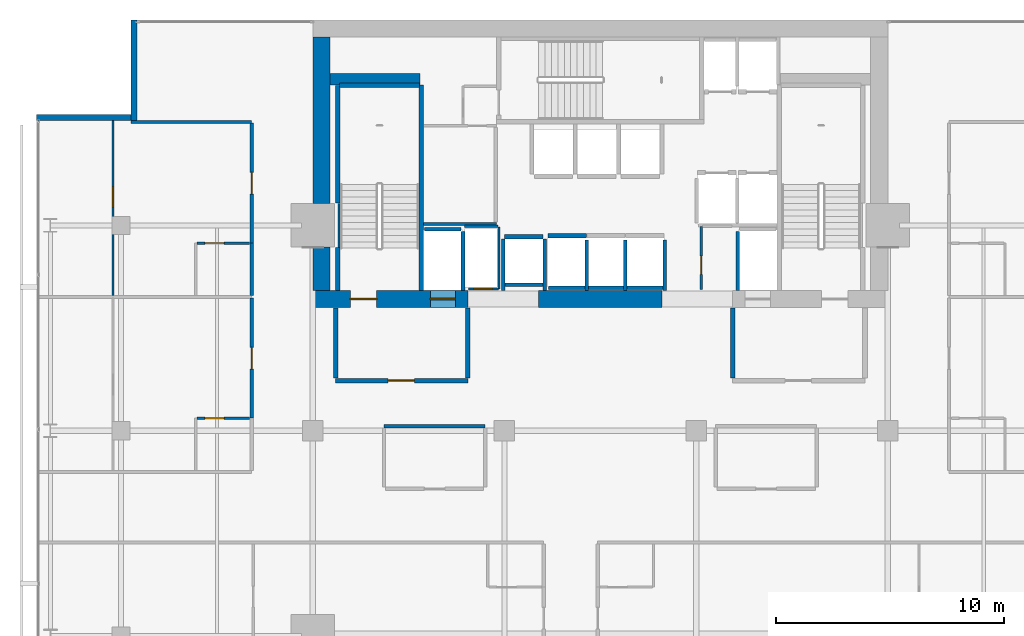
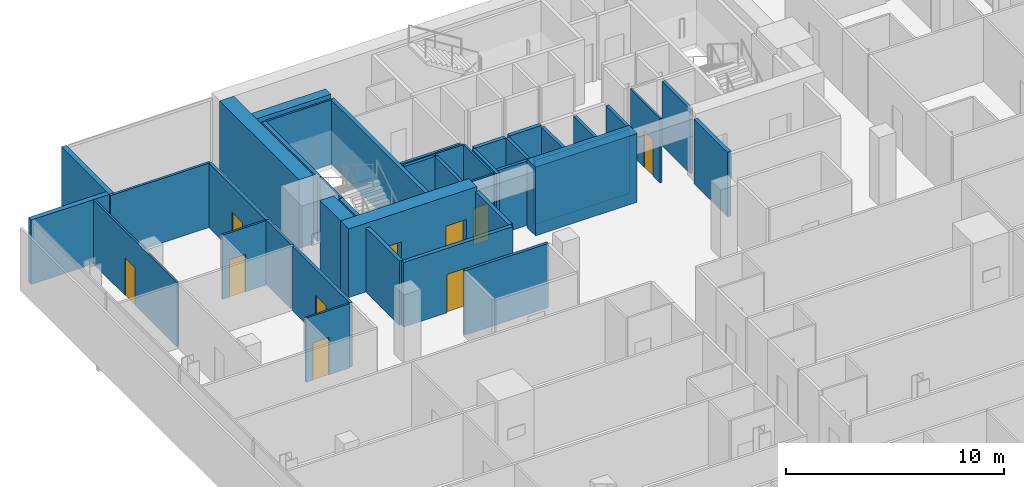
# One storey, part 29 of 33: 41 walls, 10 doors, 10 openings.
"""IFC4 building model written with IfcOpenShell, lengths in metres."""

from ifc_helpers import new_model, si_unit, direction, frame, frame_2d, origin, place, context, subcontext, project, spatial, rectangle, extrude, material, layer, layer_set, type_object, element, fill, save


model = new_model("IFC4")

# Units and contexts
model_context = context("Model", 3, precision=1e-05, world=origin(), true_north=direction((0.0, 1.0)))
body_context = subcontext(model_context, "Body", "Model", "MODEL_VIEW")
ifc_project = project(units=[si_unit("LENGTHUNIT", "METRE"), si_unit("AREAUNIT", "SQUARE_METRE"), si_unit("VOLUMEUNIT", "CUBIC_METRE"), si_unit("PLANEANGLEUNIT", "RADIAN"), si_unit("MASSUNIT", "GRAM", prefix="KILO")], contexts=[model_context])

# Site, building, storey
site_placement = place(None, origin())
site = spatial("IfcSite", under=ifc_project, at=site_placement, CompositionType="ELEMENT")
building_placement = place(site_placement, origin())
building = spatial("IfcBuilding", under=site, at=building_placement, Name="Maruvema Waterfront Hotel and Observation Tower", CompositionType="ELEMENT")
storey_placement = place(building_placement, frame((0.0, 0.0, 142.800048828125)))
storey = spatial("IfcBuildingStorey", under=building, at=storey_placement, Name="L34", CompositionType="ELEMENT", Elevation=142.800048828125)

# Walls
ifc_material_1 = material(Name="Twin-stud acoustic gypsum drywall", Category="gypsum")
ifc_layer_1 = layer(ifc_material_1, 0.14990234375, Name="Acoustic Corridor and Suite Demising Wall 150 mm")
ifc_layer_set_1 = layer_set([ifc_layer_1], Name="Twin-stud acoustic gypsum drywall")
wall_type_1 = type_object("IfcWallType", Name="Acoustic Corridor and Suite Demising Wall 150 mm", PredefinedType="PARTITIONING", material=ifc_layer_set_1)
wall_1_placement = place(storey_placement, frame((30.06005859375, 45.06005859375, 0.0), z_axis=(0.0, 0.0, 1.0), x_axis=(1.0, 0.0, 0.0)))
element("IfcWall", 1, at=wall_1_placement, inside=storey, type_object=wall_type_1, Name="L34 Freed B1 South Wall 012", PredefinedType="PARTITIONING", context=body_context, shape_type="SweptSolid", body=[
    extrude(rectangle(XDim=3.179931640625, YDim=0.14990234375, at=frame_2d((1.58984375, 0.0))), origin(), (0.0, 0.0, 1.0), 3.60986328125),
])
wall_2_placement = place(storey_placement, frame((28.320068359375, 36.199951171875, 0.0), z_axis=(0.0, 0.0, 1.0), x_axis=(1.0, 0.0, 0.0)))
element("IfcWall", 2, at=wall_2_placement, inside=storey, type_object=wall_type_1, Name="L34 L34-M1 Back Wall 017", PredefinedType="PARTITIONING", context=body_context, shape_type="SweptSolid", body=[
    extrude(rectangle(XDim=4.429931640625, YDim=0.14990234375, at=frame_2d((2.21484375, 0.0))), origin(), (0.0, 0.0, 1.0), 3.60986328125),
])

# Wall, opening, door
wall_3_placement = place(storey_placement, frame((22.52001953125, 36.550048828125, 0.0), z_axis=(0.0, 0.0, 1.0), x_axis=(0.0, 1.0, 0.0)))
wall_3 = element("IfcWall", 3, at=wall_3_placement, inside=storey, type_object=wall_type_1, Name="L34 Room L34-NW1 Corridor Wall 097", PredefinedType="PARTITIONING", context=body_context, shape_type="SweptSolid", body=[
    extrude(rectangle(XDim=5.2587890625, YDim=0.14990234375, at=frame_2d((2.62939453125, 0.0))), origin(), (0.0, 0.0, 1.0), 3.60986328125),
])
opening_1_placement = place(wall_3_placement, frame((2.154296875, 0.0, 0.0)))
opening_1 = element("IfcOpeningElement", 4, at=opening_1_placement, cuts=wall_3, Name="Opening DR-095", PredefinedType="OPENING", context=body_context, shape_type="SweptSolid", body=[
    extrude(rectangle(XDim=0.949951171875, YDim=2.14990234375, at=frame_2d((0.47509765625, 1.074951171875))), frame((0.0, 0.0849609375, 0.0), z_axis=(0.0, -1.0, 0.0), x_axis=(1.0, 0.0, 0.0)), (0.0, 0.0, 1.0), 0.169921875),
])
ifc_material_2 = material(Name="Acoustic solid-core hardwood timber leaf", Category="wood")
door_type_1 = type_object("IfcDoorType", Name="Guestroom Entrance Fire Door 950x2150 mm", OperationType="NOTDEFINED", PredefinedType="DOOR", material=ifc_material_2)
door_1_placement = place(opening_1_placement, origin())
door_1 = element("IfcDoor", 5, at=door_1_placement, inside=storey, type_object=door_type_1, Name="L34 Room L34-NW1 Entrance Door", OperationType="SINGLE_SWING_LEFT", OverallHeight=2.14990234375, OverallWidth=0.949951171875, PredefinedType="DOOR", context=body_context, shape_type="SweptSolid", body=[
    extrude(rectangle(XDim=0.949951171875, YDim=2.14990234375, at=frame_2d((0.47509765625, 1.074951171875))), frame((0.0, 0.02490234375, 0.0), z_axis=(0.0, -1.0, 0.0), x_axis=(1.0, 0.0, 0.0)), (0.0, 0.0, 1.0), 0.050048828125),
])
fill(opening_1, door_1)

# Wall
wall_4_placement = place(storey_placement, frame((22.52001953125, 41.9287109375, 0.0), z_axis=(0.0, 0.0, 1.0), x_axis=(0.0, 1.0, 0.0)))
element("IfcWall", 6, at=wall_4_placement, inside=storey, type_object=wall_type_1, Name="L34 Bath L34-NW2 Wall 108", PredefinedType="PARTITIONING", context=body_context, shape_type="SweptSolid", body=[
    extrude(rectangle(XDim=2.2900390625, YDim=0.14990234375, at=frame_2d((1.14501953125, 0.0))), origin(), (0.0, 0.0, 1.0), 3.60986328125),
])

# Wall, opening, door
wall_5_placement = place(storey_placement, frame((22.52001953125, 44.21875, 0.0), z_axis=(0.0, 0.0, 1.0), x_axis=(0.0, 1.0, 0.0)))
wall_5 = element("IfcWall", 7, at=wall_5_placement, inside=storey, type_object=wall_type_1, Name="L34 Room L34-NW2 Corridor Wall 109", PredefinedType="PARTITIONING", context=body_context, shape_type="SweptSolid", body=[
    extrude(rectangle(XDim=5.2587890625, YDim=0.14990234375, at=frame_2d((2.62939453125, 0.0))), origin(), (0.0, 0.0, 1.0), 3.60986328125),
])
opening_2_placement = place(wall_5_placement, frame((2.154296875, 0.0, 0.0)))
opening_2 = element("IfcOpeningElement", 8, at=opening_2_placement, cuts=wall_5, Name="Opening DR-095", PredefinedType="OPENING", context=body_context, shape_type="SweptSolid", body=[
    extrude(rectangle(XDim=0.949951171875, YDim=2.14990234375, at=frame_2d((0.47509765625, 1.074951171875))), frame((0.0, 0.0849609375, 0.0), z_axis=(0.0, -1.0, 0.0), x_axis=(1.0, 0.0, 0.0)), (0.0, 0.0, 1.0), 0.169921875),
])
door_2_placement = place(opening_2_placement, origin())
door_2 = element("IfcDoor", 9, at=door_2_placement, inside=storey, type_object=door_type_1, Name="L34 Room L34-NW2 Entrance Door", OperationType="SINGLE_SWING_LEFT", OverallHeight=2.14990234375, OverallWidth=0.949951171875, PredefinedType="DOOR", context=body_context, shape_type="SweptSolid", body=[
    extrude(rectangle(XDim=0.949951171875, YDim=2.14990234375, at=frame_2d((0.47509765625, 1.074951171875))), frame((0.0, 0.02490234375, 0.0), z_axis=(0.0, -1.0, 0.0), x_axis=(1.0, 0.0, 0.0)), (0.0, 0.0, 1.0), 0.050048828125),
])
fill(opening_2, door_2)

# Walls
ifc_material_3 = material(Name="Precast concrete C45/55", Category="concrete")
ifc_layer_2 = layer(ifc_material_3, 0.199951171875, Name="Core Shaft and Stairwell Enclosure Wall 200 mm")
ifc_layer_set_2 = layer_set([ifc_layer_2], Name="Precast concrete C45/55")
wall_type_2 = type_object("IfcWallType", Name="Core Shaft and Stairwell Enclosure Wall 200 mm", PredefinedType="SOLIDWALL", material=ifc_layer_set_2)
wall_6_placement = place(storey_placement, frame((29.949951171875, 42.14990234375, 0.0), z_axis=(0.0, 0.0, 1.0), x_axis=(0.0, 1.0, 0.0)))
element("IfcWall", 10, at=wall_6_placement, inside=storey, type_object=wall_type_2, Name="L34 Stairwell ST-01 East Shaft Wall", PredefinedType="SOLIDWALL", context=body_context, shape_type="SweptSolid", body=[
    extrude(rectangle(XDim=9.0, YDim=0.199951171875, at=frame_2d((4.5, 0.0))), origin(), (0.0, 0.0, 1.0), 3.60986328125),
])
wall_7_placement = place(storey_placement, frame((26.300048828125, 42.14990234375, 0.0), z_axis=(0.0, 0.0, 1.0), x_axis=(0.0, 1.0, 0.0)))
element("IfcWall", 11, at=wall_7_placement, inside=storey, type_object=wall_type_2, Name="L34 Stairwell ST-01 Shaft Lining Wall", PredefinedType="SOLIDWALL", context=body_context, shape_type="SweptSolid", body=[
    extrude(rectangle(XDim=1.8701171875, YDim=0.199951171875, at=frame_2d((0.93505859375, 0.0))), origin(), (0.0, 0.0, 1.0), 3.60986328125),
])
wall_8_placement = place(storey_placement, frame((26.300048828125, 45.97998046875, 0.0), z_axis=(0.0, 0.0, 1.0), x_axis=(0.0, 1.0, 0.0)))
element("IfcWall", 12, at=wall_8_placement, inside=storey, type_object=wall_type_2, Name="L34 Stairwell ST-01 Shaft Lining Wall", PredefinedType="SOLIDWALL", context=body_context, shape_type="SweptSolid", body=[
    extrude(rectangle(XDim=5.14013671875, YDim=0.199951171875, at=frame_2d((2.570068359375, 0.0))), origin(), (0.0, 0.0, 1.0), 3.60986328125),
])
wall_9_placement = place(storey_placement, frame((26.3798828125, 51.14990234375, 0.0), z_axis=(0.0, 0.0, 1.0), x_axis=(1.0, 0.0, 0.0)))
element("IfcWall", 13, at=wall_9_placement, inside=storey, type_object=wall_type_2, Name="L34 Stairwell ST-01 Shaft Lining Wall", PredefinedType="SOLIDWALL", context=body_context, shape_type="SweptSolid", body=[
    extrude(rectangle(XDim=3.5, YDim=0.199951171875, at=frame_2d((1.75, 0.0))), origin(), (0.0, 0.0, 1.0), 3.60986328125),
])
for number, where, z_axis, x_axis, name in (
    (14, (35.510009765625, 44.550048828125, 0.0), (0.0, 0.0, 1.0), (1.0, 0.0, 0.0), "L34 Lift LF-09 Hoistway Front Wall"),
    (15, (33.610107421875, 44.5, 0.0), (0.0, 0.0, 1.0), (1.0, 0.0, 0.0), "L34 Lift LF-15 Hoistway Front Wall"),
):
    element("IfcWall", number, at=place(storey_placement, frame(where, z_axis=z_axis, x_axis=x_axis)), inside=storey, type_object=wall_type_2, Name=name, PredefinedType="SOLIDWALL", context=body_context, shape_type="SweptSolid", body=[
        extrude(rectangle(XDim=1.679931640625, YDim=0.199951171875, at=frame_2d((0.83984375, 0.0))), origin(), (0.0, 0.0, 1.0), 3.60986328125),
    ])
ifc_material_4 = material(Name="Concrete C70/85", Category="concrete")
ifc_layer_3 = layer(ifc_material_4, 0.5, Name="Core Shear Wall 500 mm")
ifc_layer_set_3 = layer_set([ifc_layer_3], Name="Concrete C70/85")
wall_type_3 = type_object("IfcWallType", Name="Core Shear Wall 500 mm", PredefinedType="SHEAR", material=ifc_layer_set_3)
wall_10_placement = place(storey_placement, frame((25.949951171875, 51.39990234375, 0.0), z_axis=(0.0, 0.0, 1.0), x_axis=(1.0, 0.0, 0.0)))
element("IfcWall", 16, at=wall_10_placement, inside=storey, type_object=wall_type_3, Name="L34 Internal Core Shear Wall NW 500 mm", PredefinedType="SHEAR", context=body_context, shape_type="SweptSolid", body=[
    extrude(rectangle(XDim=3.949951171875, YDim=0.5, at=frame_2d((1.97509765625, 0.0))), origin(), (0.0, 0.0, 1.0), 3.849853515625),
])

# Wall, openings, doors
ifc_material_5 = material(Name="Concrete C70/85", Category="concrete")
ifc_layer_4 = layer(ifc_material_5, 0.75, Name="Core Shear Wall 750 mm")
ifc_layer_set_4 = layer_set([ifc_layer_4], Name="Concrete C70/85")
wall_type_4 = type_object("IfcWallType", Name="Core Shear Wall 750 mm", PredefinedType="SHEAR", material=ifc_layer_set_4)
wall_11_placement = place(storey_placement, frame((25.199951171875, 41.77490234375, 0.0), z_axis=(0.0, 0.0, 1.0), x_axis=(1.0, 0.0, 0.0)))
wall_11 = element("IfcWall", 17, at=wall_11_placement, inside=storey, type_object=wall_type_4, Name="L34 South-West Core Shear Wall", PredefinedType="SHEAR", context=body_context, shape_type="SweptSolid", body=[
    extrude(rectangle(XDim=6.800048828125, YDim=0.75, at=frame_2d((3.39990234375, 0.0))), origin(), (0.0, 0.0, 1.0), 3.849853515625),
])
opening_3_placement = place(wall_11_placement, frame((1.64990234375, 0.0, 0.0)))
opening_3 = element("IfcOpeningElement", 18, at=opening_3_placement, cuts=wall_11, Name="Opening SD-01", PredefinedType="OPENING", context=body_context, shape_type="SweptSolid", body=[
    extrude(rectangle(XDim=1.14990234375, YDim=2.14990234375, at=frame_2d((0.574951171875, 1.074951171875))), frame((0.0, 0.385009765625, 0.0), z_axis=(0.0, -1.0, 0.0), x_axis=(1.0, 0.0, 0.0)), (0.0, 0.0, 1.0), 0.77001953125),
])
opening_4_placement = place(wall_11_placement, frame((5.14990234375, 0.0, 0.0)))
opening_4 = element("IfcOpeningElement", 19, at=opening_4_placement, cuts=wall_11, Name="Opening LD-03", PredefinedType="OPENING", context=body_context, shape_type="SweptSolid", body=[
    extrude(rectangle(XDim=1.10009765625, YDim=2.199951171875, at=frame_2d((0.550048828125, 1.10009765625))), frame((0.0, 0.385009765625, 0.0), z_axis=(0.0, -1.0, 0.0), x_axis=(1.0, 0.0, 0.0)), (0.0, 0.0, 1.0), 0.77001953125),
])
ifc_material_6 = material(Name="Fire-rated galvanised steel leaf", Category="steel")
door_type_2 = type_object("IfcDoorType", Name="Exit Stair Fire Door 1150x2150 mm", OperationType="NOTDEFINED", PredefinedType="DOOR", material=ifc_material_6)
door_3_placement = place(opening_3_placement, origin())
door_3 = element("IfcDoor", 20, at=door_3_placement, inside=storey, type_object=door_type_2, Name="L34 Exit Stair ST-01 Fire Door", OperationType="SINGLE_SWING_LEFT", OverallHeight=2.14990234375, OverallWidth=1.14990234375, PredefinedType="DOOR", context=body_context, shape_type="SweptSolid", body=[
    extrude(rectangle(XDim=1.14990234375, YDim=2.14990234375, at=frame_2d((0.574951171875, 1.074951171875))), frame((0.0, 0.02490234375, 0.0), z_axis=(0.0, -1.0, 0.0), x_axis=(1.0, 0.0, 0.0)), (0.0, 0.0, 1.0), 0.050048828125),
])
fill(opening_3, door_3)
ifc_material_7 = material(Name="Brushed stainless steel Grade 316", Category="steel")
door_type_3 = type_object("IfcDoorType", Name="Firefighting Lift Sliding Landing Door 1100x2200 mm", OperationType="SLIDING_TO_LEFT", PredefinedType="DOOR", material=ifc_material_7)
door_4_placement = place(opening_4_placement, frame((1.10009765625, 0.0, 0.0), z_axis=(0.0, 0.0, 1.0), x_axis=(-1.0, 0.0, 0.0)))
door_4 = element("IfcDoor", 21, at=door_4_placement, inside=storey, type_object=door_type_3, Name="L34 Firefighting Lift FL-01 Landing Door", OperationType="SLIDING_TO_LEFT", OverallHeight=2.199951171875, OverallWidth=1.10009765625, PredefinedType="DOOR", context=body_context, shape_type="SweptSolid", body=[
    extrude(rectangle(XDim=1.10009765625, YDim=2.199951171875, at=frame_2d((0.550048828125, 1.10009765625))), frame((0.0, 0.02490234375, 0.0), z_axis=(0.0, -1.0, 0.0), x_axis=(1.0, 0.0, 0.0)), (0.0, 0.0, 1.0), 0.050048828125),
])
fill(opening_4, door_4)

# Walls
wall_12_placement = place(storey_placement, frame((35.10009765625, 41.77490234375, 0.0), z_axis=(0.0, 0.0, 1.0), x_axis=(1.0, 0.0, 0.0)))
element("IfcWall", 22, at=wall_12_placement, inside=storey, type_object=wall_type_4, Name="L34 South-Central Core Shear Wall", PredefinedType="SHEAR", context=body_context, shape_type="SweptSolid", body=[
    extrude(rectangle(XDim=5.39990234375, YDim=0.75, at=frame_2d((2.699951171875, 0.0))), origin(), (0.0, 0.0, 1.0), 3.849853515625),
])
wall_13_placement = place(storey_placement, frame((25.574951171875, 42.14990234375, 0.0), z_axis=(0.0, 0.0, 1.0), x_axis=(0.0, 1.0, 0.0)))
element("IfcWall", 23, at=wall_13_placement, inside=storey, type_object=wall_type_4, Name="L34 West-South Core Shear Wall", PredefinedType="SHEAR", context=body_context, shape_type="SweptSolid", body=[
    extrude(rectangle(XDim=1.900146484375, YDim=0.75, at=frame_2d((0.9501953125, 0.0))), origin(), (0.0, 0.0, 1.0), 3.849853515625),
])
wall_14_placement = place(storey_placement, frame((25.574951171875, 45.949951171875, 0.0), z_axis=(0.0, 0.0, 1.0), x_axis=(0.0, 1.0, 0.0)))
element("IfcWall", 24, at=wall_14_placement, inside=storey, type_object=wall_type_4, Name="L34 West-North Core Shear Wall", PredefinedType="SHEAR", context=body_context, shape_type="SweptSolid", body=[
    extrude(rectangle(XDim=7.300048828125, YDim=0.75, at=frame_2d((3.64990234375, 0.0))), origin(), (0.0, 0.0, 1.0), 3.849853515625),
])

# Wall, opening, door
ifc_material_8 = material(Name="Moisture-resistant cement-board drywall", Category="gypsum")
ifc_layer_5 = layer(ifc_material_8, 0.10009765625, Name="En-Suite Moisture-Resistant Partition 100 mm")
ifc_layer_set_5 = layer_set([ifc_layer_5], Name="Moisture-resistant cement-board drywall")
wall_type_5 = type_object("IfcWallType", Name="En-Suite Moisture-Resistant Partition 100 mm", PredefinedType="PARTITIONING", material=ifc_layer_set_5)
wall_15_placement = place(storey_placement, frame((32.02001953125, 42.2099609375, 0.0), z_axis=(0.0, 0.0, 1.0), x_axis=(1.0, 0.0, 0.0)))
wall_15 = element("IfcWall", 25, at=wall_15_placement, inside=storey, type_object=wall_type_5, Name="L34 Telecom Riser South Wall 007", PredefinedType="PARTITIONING", context=body_context, shape_type="SweptSolid", body=[
    extrude(rectangle(XDim=1.320068359375, YDim=0.10009765625, at=frame_2d((0.66015625, 0.0))), origin(), (0.0, 0.0, 1.0), 3.60986328125),
])
opening_5_placement = place(wall_15_placement, frame((0.239990234375, 0.0, 0.0)))
opening_5 = element("IfcOpeningElement", 26, at=opening_5_placement, cuts=wall_15, Name="Opening DR-080", PredefinedType="OPENING", context=body_context, shape_type="SweptSolid", body=[
    extrude(rectangle(XDim=0.800048828125, YDim=2.050048828125, at=frame_2d((0.39990234375, 1.02490234375))), frame((0.0, 0.06005859375, 0.0), z_axis=(0.0, -1.0, 0.0), x_axis=(1.0, 0.0, 0.0)), (0.0, 0.0, 1.0), 0.1201171875),
])
ifc_material_9 = material(Name="Powder-coated steel access leaf", Category="steel")
door_type_4 = type_object("IfcDoorType", Name="Riser and Service Cupboard Door 800x2050 mm", OperationType="NOTDEFINED", PredefinedType="DOOR", material=ifc_material_9)
door_5_placement = place(opening_5_placement, frame((0.800048828125, 0.0, 0.0), z_axis=(0.0, 0.0, 1.0), x_axis=(-1.0, 0.0, 0.0)))
door_5 = element("IfcDoor", 27, at=door_5_placement, inside=storey, type_object=door_type_4, Name="L34 Telecom Riser Door", OperationType="SINGLE_SWING_RIGHT", OverallHeight=2.050048828125, OverallWidth=0.800048828125, PredefinedType="DOOR", context=body_context, shape_type="SweptSolid", body=[
    extrude(rectangle(XDim=0.800048828125, YDim=2.050048828125, at=frame_2d((0.39990234375, 1.02490234375))), frame((0.0, 0.02490234375, 0.0), z_axis=(0.0, -1.0, 0.0), x_axis=(1.0, 0.0, 0.0)), (0.0, 0.0, 1.0), 0.050048828125),
])
fill(opening_5, door_5)

# Walls
wall_16_placement = place(storey_placement, frame((31.840087890625, 44.9599609375, 0.0), z_axis=(0.0, 0.0, 1.0), x_axis=(1.0, 0.0, 0.0)))
element("IfcWall", 28, at=wall_16_placement, inside=storey, type_object=wall_type_5, Name="L34 Telecom Riser North Wall 008", PredefinedType="PARTITIONING", context=body_context, shape_type="SweptSolid", body=[
    extrude(rectangle(XDim=1.47998046875, YDim=0.10009765625, at=frame_2d((0.739990234375, 0.0))), origin(), (0.0, 0.0, 1.0), 3.60986328125),
])
wall_17_placement = place(storey_placement, frame((33.360107421875, 42.2099609375, 0.0), z_axis=(0.0, 0.0, 1.0), x_axis=(0.0, 1.0, 0.0)))
element("IfcWall", 29, at=wall_17_placement, inside=storey, type_object=wall_type_5, Name="L34 Telecom Riser East Wall 009", PredefinedType="PARTITIONING", context=body_context, shape_type="SweptSolid", body=[
    extrude(rectangle(XDim=2.72998046875, YDim=0.10009765625, at=frame_2d((1.364990234375, 0.0))), origin(), (0.0, 0.0, 1.0), 3.60986328125),
])

# Wall, opening, door
wall_18_placement = place(storey_placement, frame((42.219970703125, 42.199951171875, 0.0), z_axis=(0.0, 0.0, 1.0), x_axis=(0.0, 1.0, 0.0)))
wall_18 = element("IfcWall", 30, at=wall_18_placement, inside=storey, type_object=wall_type_5, Name="L34 Core Closet K1 West 010", PredefinedType="PARTITIONING", context=body_context, shape_type="SweptSolid", body=[
    extrude(rectangle(XDim=2.760009765625, YDim=0.10009765625, at=frame_2d((1.3798828125, 0.0))), origin(), (0.0, 0.0, 1.0), 3.60986328125),
])
opening_6_placement = place(wall_18_placement, frame((0.64990234375, 0.0, 0.0)))
opening_6 = element("IfcOpeningElement", 31, at=opening_6_placement, cuts=wall_18, Name="Opening DR-080", PredefinedType="OPENING", context=body_context, shape_type="SweptSolid", body=[
    extrude(rectangle(XDim=0.800048828125, YDim=2.050048828125, at=frame_2d((0.39990234375, 1.02490234375))), frame((0.0, 0.06005859375, 0.0), z_axis=(0.0, -1.0, 0.0), x_axis=(1.0, 0.0, 0.0)), (0.0, 0.0, 1.0), 0.1201171875),
])
door_6_placement = place(opening_6_placement, frame((0.800048828125, 0.0, 0.0), z_axis=(0.0, 0.0, 1.0), x_axis=(-1.0, 0.0, 0.0)))
door_6 = element("IfcDoor", 32, at=door_6_placement, inside=storey, type_object=door_type_4, Name="L34 Core Cleaning Store Door", OperationType="SINGLE_SWING_LEFT", OverallHeight=2.050048828125, OverallWidth=0.800048828125, PredefinedType="DOOR", context=body_context, shape_type="SweptSolid", body=[
    extrude(rectangle(XDim=0.800048828125, YDim=2.050048828125, at=frame_2d((0.39990234375, 1.02490234375))), frame((0.0, 0.02490234375, 0.0), z_axis=(0.0, -1.0, 0.0), x_axis=(1.0, 0.0, 0.0)), (0.0, 0.0, 1.0), 0.050048828125),
])
fill(opening_6, door_6)

wall_19_placement = place(storey_placement, frame((20.1201171875, 36.550048828125, 0.0), z_axis=(0.0, 0.0, 1.0), x_axis=(1.0, 0.0, 0.0)))
wall_19 = element("IfcWall", 33, at=wall_19_placement, inside=storey, type_object=wall_type_5, Name="L34 En-Suite L34-NW1 N 099", PredefinedType="PARTITIONING", context=body_context, shape_type="SweptSolid", body=[
    extrude(rectangle(XDim=2.2998046875, YDim=0.10009765625, at=frame_2d((1.14990234375, 0.0))), origin(), (0.0, 0.0, 1.0), 3.60986328125),
])
opening_7_placement = place(wall_19_placement, frame((0.35009765625, 0.0, 0.0)))
opening_7 = element("IfcOpeningElement", 34, at=opening_7_placement, cuts=wall_19, Name="Opening DR-085", PredefinedType="OPENING", context=body_context, shape_type="SweptSolid", body=[
    extrude(rectangle(XDim=0.85009765625, YDim=2.10009765625, at=frame_2d((0.425048828125, 1.050048828125))), frame((0.0, 0.06005859375, 0.0), z_axis=(0.0, -1.0, 0.0), x_axis=(1.0, 0.0, 0.0)), (0.0, 0.0, 1.0), 0.1201171875),
])
ifc_material_10 = material(Name="Moisture-resistant solid timber leaf", Category="wood")
door_type_5 = type_object("IfcDoorType", Name="En-Suite Bathroom Door 850x2100 mm", OperationType="NOTDEFINED", PredefinedType="DOOR", material=ifc_material_10)
door_7_placement = place(opening_7_placement, origin())
door_7 = element("IfcDoor", 35, at=door_7_placement, inside=storey, type_object=door_type_5, Name="L34 En-Suite L34-NW1 Door", OperationType="SINGLE_SWING_RIGHT", OverallHeight=2.10009765625, OverallWidth=0.85009765625, PredefinedType="DOOR", context=body_context, shape_type="SweptSolid", body=[
    extrude(rectangle(XDim=0.85009765625, YDim=2.10009765625, at=frame_2d((0.425048828125, 1.050048828125))), frame((0.0, 0.02490234375, 0.0), z_axis=(0.0, -1.0, 0.0), x_axis=(1.0, 0.0, 0.0)), (0.0, 0.0, 1.0), 0.050048828125),
])
fill(opening_7, door_7)

wall_20_placement = place(storey_placement, frame((20.1201171875, 44.21875, 0.0), z_axis=(0.0, 0.0, 1.0), x_axis=(1.0, 0.0, 0.0)))
wall_20 = element("IfcWall", 36, at=wall_20_placement, inside=storey, type_object=wall_type_5, Name="L34 En-Suite L34-NW2 N 111", PredefinedType="PARTITIONING", context=body_context, shape_type="SweptSolid", body=[
    extrude(rectangle(XDim=2.2998046875, YDim=0.10009765625, at=frame_2d((1.14990234375, 0.0))), origin(), (0.0, 0.0, 1.0), 3.60986328125),
])
opening_8_placement = place(wall_20_placement, frame((0.35009765625, 0.0, 0.0)))
opening_8 = element("IfcOpeningElement", 37, at=opening_8_placement, cuts=wall_20, Name="Opening DR-085", PredefinedType="OPENING", context=body_context, shape_type="SweptSolid", body=[
    extrude(rectangle(XDim=0.85009765625, YDim=2.10009765625, at=frame_2d((0.425048828125, 1.050048828125))), frame((0.0, 0.06005859375, 0.0), z_axis=(0.0, -1.0, 0.0), x_axis=(1.0, 0.0, 0.0)), (0.0, 0.0, 1.0), 0.1201171875),
])
door_8_placement = place(opening_8_placement, origin())
door_8 = element("IfcDoor", 38, at=door_8_placement, inside=storey, type_object=door_type_5, Name="L34 En-Suite L34-NW2 Door", OperationType="SINGLE_SWING_RIGHT", OverallHeight=2.10009765625, OverallWidth=0.85009765625, PredefinedType="DOOR", context=body_context, shape_type="SweptSolid", body=[
    extrude(rectangle(XDim=0.85009765625, YDim=2.10009765625, at=frame_2d((0.425048828125, 1.050048828125))), frame((0.0, 0.02490234375, 0.0), z_axis=(0.0, -1.0, 0.0), x_axis=(1.0, 0.0, 0.0)), (0.0, 0.0, 1.0), 0.050048828125),
])
fill(opening_8, door_8)

wall_21_placement = place(storey_placement, frame((16.445556640625, 41.9287109375, 0.0), z_axis=(0.0, 0.0, 1.0), x_axis=(0.0, 1.0, 0.0)))
wall_21 = element("IfcWall", 39, at=wall_21_placement, inside=storey, type_object=wall_type_5, Name="L34 Suite L34-NW2 Split 112", PredefinedType="PARTITIONING", context=body_context, shape_type="SweptSolid", body=[
    extrude(rectangle(XDim=7.668701171875, YDim=0.10009765625, at=frame_2d((3.83447265625, 0.0))), origin(), (0.0, 0.0, 1.0), 3.60986328125),
])
opening_9_placement = place(wall_21_placement, frame((3.8642578125, 0.0, 0.0)))
opening_9 = element("IfcOpeningElement", 40, at=opening_9_placement, cuts=wall_21, Name="Opening DR-090", PredefinedType="OPENING", context=body_context, shape_type="SweptSolid", body=[
    extrude(rectangle(XDim=0.89990234375, YDim=2.10009765625, at=frame_2d((0.449951171875, 1.050048828125))), frame((0.0, 0.06005859375, 0.0), z_axis=(0.0, -1.0, 0.0), x_axis=(1.0, 0.0, 0.0)), (0.0, 0.0, 1.0), 0.1201171875),
])
ifc_material_11 = material(Name="Solid-core lacquered timber leaf", Category="wood")
door_type_6 = type_object("IfcDoorType", Name="Accessible Toilet and Room Door 900x2100 mm", OperationType="NOTDEFINED", PredefinedType="DOOR", material=ifc_material_11)
door_9_placement = place(opening_9_placement, origin())
door_9 = element("IfcDoor", 41, at=door_9_placement, inside=storey, type_object=door_type_6, Name="L34 Suite L34-NW2 Bedroom Door", OperationType="SINGLE_SWING_RIGHT", OverallHeight=2.10009765625, OverallWidth=0.89990234375, PredefinedType="DOOR", context=body_context, shape_type="SweptSolid", body=[
    extrude(rectangle(XDim=0.89990234375, YDim=2.10009765625, at=frame_2d((0.449951171875, 1.050048828125))), frame((0.0, 0.02490234375, 0.0), z_axis=(0.0, -1.0, 0.0), x_axis=(1.0, 0.0, 0.0)), (0.0, 0.0, 1.0), 0.050048828125),
])
fill(opening_9, door_9)

# Walls
ifc_material_12 = material(Name="Precast concrete C45/55 with honed Pernambuco granite facing", Category="masonry")
ifc_layer_6 = layer(ifc_material_12, 0.260009765625, Name="Exterior Granite Clad Spandrel and Pier Wall 260 mm")
ifc_layer_set_6 = layer_set([ifc_layer_6], Name="Precast concrete C45/55 with honed Pernambuco granite facing")
wall_type_6 = type_object("IfcWallType", Name="Exterior Granite Clad Spandrel and Pier Wall 260 mm", PredefinedType="SOLIDWALL", material=ifc_layer_set_6)
for number, where, z_axis, x_axis, name in (
    (42, (17.3701171875, 49.60009765625, 0.0), (0.0, 0.0, 1.0), (0.0, 1.0, 0.0), "L34 Corner Notch Granite Pier Wall NW1"),
    (43, (13.10009765625, 49.72998046875, 0.0), (0.0, 0.0, 1.0), (1.0, 0.0, 0.0), "L34 Corner Notch Granite Pier Wall NW2"),
):
    element("IfcWall", number, at=place(storey_placement, frame(where, z_axis=z_axis, x_axis=x_axis)), inside=storey, type_object=wall_type_6, Name=name, PredefinedType="SOLIDWALL", context=body_context, shape_type="SweptSolid", body=[
        extrude(rectangle(XDim=4.39990234375, YDim=0.260009765625, at=frame_2d((2.199951171875, 0.0))), origin(), (0.0, 0.0, 1.0), 3.60986328125),
    ])

# Wall, opening, door
ifc_material_13 = material(Name="Autoclaved cellular concrete blockwork", Category="masonry")
ifc_layer_7 = layer(ifc_material_13, 0.199951171875, Name="Fire Compartment Masonry Wall 200 mm")
ifc_layer_set_7 = layer_set([ifc_layer_7], Name="Autoclaved cellular concrete blockwork")
wall_type_7 = type_object("IfcWallType", Name="Fire Compartment Masonry Wall 200 mm", PredefinedType="PARTITIONING", material=ifc_layer_set_7)
wall_22_placement = place(storey_placement, frame((26.199951171875, 38.199951171875, 0.0), z_axis=(0.0, 0.0, 1.0), x_axis=(1.0, 0.0, 0.0)))
wall_22 = element("IfcWall", 44, at=wall_22_placement, inside=storey, type_object=wall_type_7, Name="L34 FFL West South Wall 001", PredefinedType="PARTITIONING", context=body_context, shape_type="SweptSolid", body=[
    extrude(rectangle(XDim=5.800048828125, YDim=0.199951171875, at=frame_2d((2.89990234375, 0.0))), origin(), (0.0, 0.0, 1.0), 3.60986328125),
])
opening_10_placement = place(wall_22_placement, frame((2.300048828125, 0.0, 0.0)))
opening_10 = element("IfcOpeningElement", 45, at=opening_10_placement, cuts=wall_22, Name="Opening FD-115", PredefinedType="OPENING", context=body_context, shape_type="SweptSolid", body=[
    extrude(rectangle(XDim=1.14990234375, YDim=2.14990234375, at=frame_2d((0.574951171875, 1.074951171875))), frame((0.0, 0.10986328125, 0.0), z_axis=(0.0, -1.0, 0.0), x_axis=(1.0, 0.0, 0.0)), (0.0, 0.0, 1.0), 0.219970703125),
])
ifc_material_14 = material(Name="Fire-rated galvanised steel and vision glass", Category="steel")
door_type_7 = type_object("IfcDoorType", Name="Firefighting Lobby Fire Door 1150x2150 mm", OperationType="NOTDEFINED", PredefinedType="DOOR", material=ifc_material_14)
door_10_placement = place(opening_10_placement, frame((1.14990234375, 0.0, 0.0), z_axis=(0.0, 0.0, 1.0), x_axis=(-1.0, 0.0, 0.0)))
door_10 = element("IfcDoor", 46, at=door_10_placement, inside=storey, type_object=door_type_7, Name="L34 Firefighting Lobby West Door", OperationType="SINGLE_SWING_RIGHT", OverallHeight=2.14990234375, OverallWidth=1.14990234375, PredefinedType="DOOR", context=body_context, shape_type="SweptSolid", body=[
    extrude(rectangle(XDim=1.14990234375, YDim=2.14990234375, at=frame_2d((0.574951171875, 1.074951171875))), frame((0.0, 0.02490234375, 0.0), z_axis=(0.0, -1.0, 0.0), x_axis=(1.0, 0.0, 0.0)), (0.0, 0.0, 1.0), 0.050048828125),
])
fill(opening_10, door_10)

# Walls
for number, where, z_axis, x_axis, name in (
    (47, (26.199951171875, 38.31005859375, 0.0), (0.0, 0.0, 1.0), (0.0, 1.0, 0.0), "L34 FFL West West Wall 002"),
    (48, (32.0, 38.31005859375, 0.0), (0.0, 0.0, 1.0), (0.0, 1.0, 0.0), "L34 FFL West East Wall 003"),
    (49, (43.60009765625, 38.31005859375, 0.0), (0.0, 0.0, 1.0), (0.0, 1.0, 0.0), "L34 FFL East West Wall 005"),
):
    element("IfcWall", number, at=place(storey_placement, frame(where, z_axis=z_axis, x_axis=x_axis)), inside=storey, type_object=wall_type_7, Name=name, PredefinedType="PARTITIONING", context=body_context, shape_type="SweptSolid", body=[
        extrude(rectangle(XDim=3.06982421875, YDim=0.199951171875, at=frame_2d((1.534912109375, 0.0))), origin(), (0.0, 0.0, 1.0), 3.60986328125),
    ])
ifc_material_15 = material(Name="Acoustic gypsum plasterboard drywall", Category="gypsum")
ifc_layer_8 = layer(ifc_material_15, 0.125, Name="Guestroom Acoustic Demising Wall 125 mm")
ifc_layer_set_8 = layer_set([ifc_layer_8], Name="Acoustic gypsum plasterboard drywall")
wall_type_8 = type_object("IfcWallType", Name="Guestroom Acoustic Demising Wall 125 mm", PredefinedType="PARTITIONING", material=ifc_layer_set_8)
wall_23_placement = place(storey_placement, frame((17.239990234375, 49.53759765625, 0.0), z_axis=(0.0, 0.0, 1.0), x_axis=(1.0, 0.0, 0.0)))
element("IfcWall", 50, at=wall_23_placement, inside=storey, type_object=wall_type_8, Name="L34 Z2 NW Top End 094", PredefinedType="PARTITIONING", context=body_context, shape_type="SweptSolid", body=[
    extrude(rectangle(XDim=5.280029296875, YDim=0.125, at=frame_2d((2.64013671875, 0.0))), origin(), (0.0, 0.0, 1.0), 3.60986328125),
])
ifc_material_16 = material(Name="Precast concrete C45/55", Category="concrete")
ifc_layer_9 = layer(ifc_material_16, 0.159912109375, Name="Lift Hoistway Divider Wall 160 mm")
ifc_layer_set_9 = layer_set([ifc_layer_9], Name="Precast concrete C45/55")
wall_type_9 = type_object("IfcWallType", Name="Lift Hoistway Divider Wall 160 mm", PredefinedType="SOLIDWALL", material=ifc_layer_set_9)
wall_24_placement = place(storey_placement, frame((30.10009765625, 44.830078125, 0.0), z_axis=(0.0, 0.0, 1.0), x_axis=(1.0, 0.0, 0.0)))
element("IfcWall", 51, at=wall_24_placement, inside=storey, type_object=wall_type_9, Name="L34 Lift FL-01 Rear Hoistway Wall", PredefinedType="SOLIDWALL", context=body_context, shape_type="SweptSolid", body=[
    extrude(rectangle(XDim=1.599853515625, YDim=0.159912109375, at=frame_2d((0.7998046875, 0.0))), origin(), (0.0, 0.0, 1.0), 3.60986328125),
])
for number, where, z_axis, x_axis, name in (
    (52, (31.780029296875, 42.14990234375, 0.0), (0.0, 0.0, 1.0), (0.0, 1.0, 0.0), "L34 Lift FL-01 Inner Hoistway Wall"),
    (53, (43.820068359375, 42.14990234375, 0.0), (0.0, 0.0, 1.0), (0.0, 1.0, 0.0), "L34 Lift FL-02 Inner Hoistway Wall"),
):
    element("IfcWall", number, at=place(storey_placement, frame(where, z_axis=z_axis, x_axis=x_axis)), inside=storey, type_object=wall_type_9, Name=name, PredefinedType="SOLIDWALL", context=body_context, shape_type="SweptSolid", body=[
        extrude(rectangle(XDim=2.590087890625, YDim=0.159912109375, at=frame_2d((1.294921875, 0.0))), origin(), (0.0, 0.0, 1.0), 3.60986328125),
    ])
for number, where, z_axis, x_axis, name in (
    (54, (37.199951171875, 42.14990234375, 0.0), (0.0, 0.0, 1.0), (0.0, 1.0, 0.0), "L34 Hoistway Divider Wall"),
    (55, (38.89990234375, 42.14990234375, 0.0), (0.0, 0.0, 1.0), (0.0, 1.0, 0.0), "L34 Hoistway Divider Wall"),
    (56, (40.6201171875, 42.14990234375, 0.0), (0.0, 0.0, 1.0), (0.0, 1.0, 0.0), "L34 Hoistway Divider Wall"),
):
    element("IfcWall", number, at=place(storey_placement, frame(where, z_axis=z_axis, x_axis=x_axis)), inside=storey, type_object=wall_type_9, Name=name, PredefinedType="SOLIDWALL", context=body_context, shape_type="SweptSolid", body=[
        extrude(rectangle(XDim=2.2001953125, YDim=0.159912109375, at=frame_2d((1.10009765625, 0.0))), origin(), (0.0, 0.0, 1.0), 3.60986328125),
    ])
wall_25_placement = place(storey_placement, frame((35.52001953125, 42.260009765625, 0.0), z_axis=(0.0, 0.0, 1.0), x_axis=(1.0, 0.0, 0.0)))
element("IfcWall", 57, at=wall_25_placement, inside=storey, type_object=wall_type_9, Name="L34 Hoistway Divider Wall", PredefinedType="SOLIDWALL", context=body_context, shape_type="SweptSolid", body=[
    extrude(rectangle(XDim=5.02001953125, YDim=0.159912109375, at=frame_2d((2.510009765625, 0.0))), origin(), (0.0, 0.0, 1.0), 3.60986328125),
])
for number, where, z_axis, x_axis, name in (
    (58, (33.5400390625, 42.14990234375, 0.0), (0.0, 0.0, 1.0), (0.0, 1.0, 0.0), "L34 Hoistway Divider Wall"),
    (59, (35.360107421875, 42.14990234375, 0.0), (0.0, 0.0, 1.0), (0.0, 1.0, 0.0), "L34 Hoistway Divider Wall"),
):
    element("IfcWall", number, at=place(storey_placement, frame(where, z_axis=z_axis, x_axis=x_axis)), inside=storey, type_object=wall_type_9, Name=name, PredefinedType="SOLIDWALL", context=body_context, shape_type="SweptSolid", body=[
        extrude(rectangle(XDim=2.25, YDim=0.159912109375, at=frame_2d((1.125, 0.0))), origin(), (0.0, 0.0, 1.0), 3.60986328125),
    ])
wall_26_placement = place(storey_placement, frame((33.6201171875, 42.39990234375, 0.0), z_axis=(0.0, 0.0, 1.0), x_axis=(1.0, 0.0, 0.0)))
element("IfcWall", 60, at=wall_26_placement, inside=storey, type_object=wall_type_9, Name="L34 Hoistway Divider Wall", PredefinedType="SOLIDWALL", context=body_context, shape_type="SweptSolid", body=[
    extrude(rectangle(XDim=1.659912109375, YDim=0.159912109375, at=frame_2d((0.830078125, 0.0))), origin(), (0.0, 0.0, 1.0), 3.60986328125),
])
ifc_material_17 = material(Name="Precast concrete C45/55", Category="concrete")
ifc_layer_10 = layer(ifc_material_17, 0.10009765625, Name="Stairwell Stringer Cheek Wall 100 mm")
ifc_layer_set_10 = layer_set([ifc_layer_10], Name="Precast concrete C45/55")
wall_type_10 = type_object("IfcWallType", Name="Stairwell Stringer Cheek Wall 100 mm", PredefinedType="SOLIDWALL", material=ifc_layer_set_10)
wall_27_placement = place(storey_placement, frame((26.35205078125, 44.0400390625, 0.0), z_axis=(0.0, 0.0, 1.0), x_axis=(0.0, 1.0, 0.0)))
element("IfcWall", 61, at=wall_27_placement, inside=storey, type_object=wall_type_10, Name="L34 Stairwell ST-01 Mega-Column Cheek Wall", PredefinedType="SOLIDWALL", context=body_context, shape_type="SweptSolid", body=[
    extrude(rectangle(XDim=1.919921875, YDim=0.10009765625, at=frame_2d((0.9599609375, 0.0))), origin(), (0.0, 0.0, 1.0), 3.60986328125),
])

save(model, "model.ifc")
